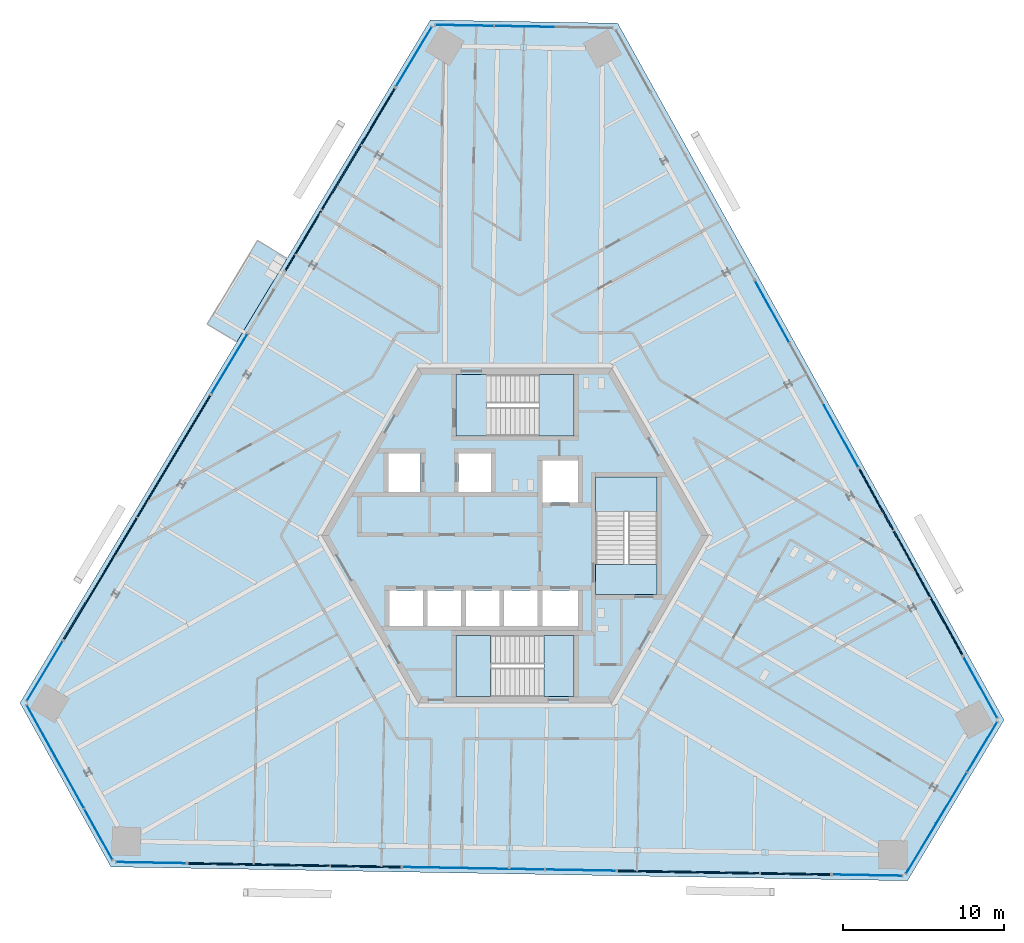
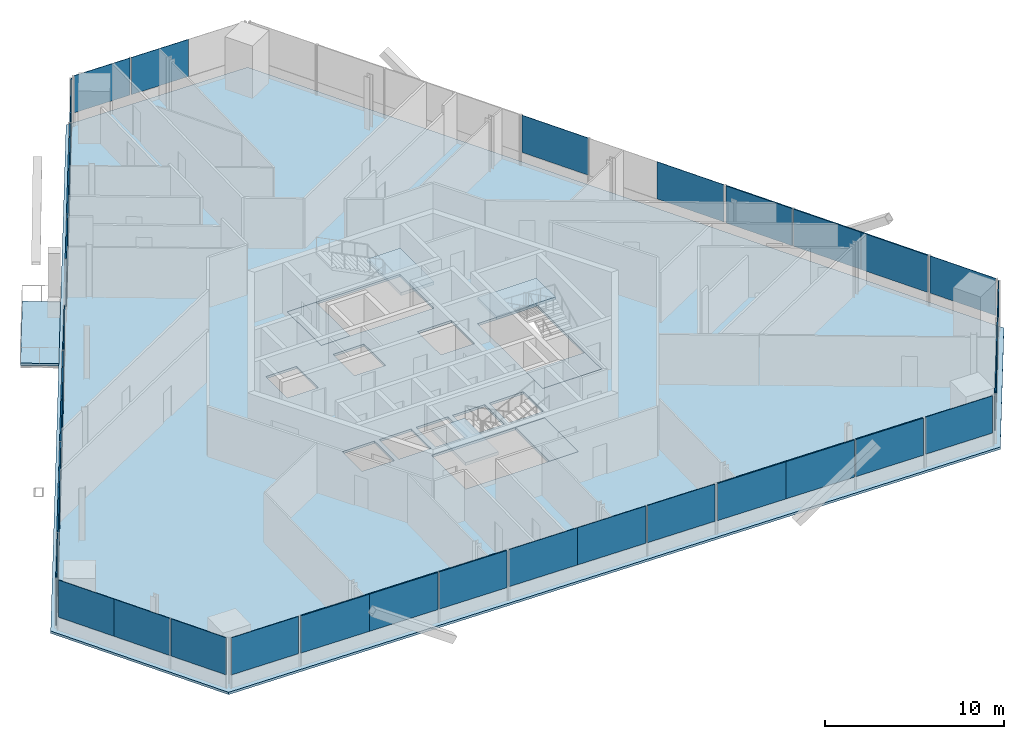
# One storey, part 10 of 19: 35 plates, 8 slabs, 19 elements without a shape of their own.
"""IFC4 building model written with IfcOpenShell, lengths in metres."""

from ifc_helpers import new_model, si_unit, direction, frame, origin, origin_2d, place, context, subcontext, project, spatial, polyline, rectangle, outline, extrude, source, transform, mapped, material, layer, layer_set, type_object, element, aggregate, save


model = new_model("IFC4")

# Units and contexts
model_context = context("Model", 3, precision=1e-05, world=origin(), true_north=direction((0.0, 1.0)))
body_context = subcontext(model_context, "Body", "Model", "MODEL_VIEW")
ifc_project = project(units=[si_unit("LENGTHUNIT", "METRE"), si_unit("AREAUNIT", "SQUARE_METRE"), si_unit("VOLUMEUNIT", "CUBIC_METRE"), si_unit("PLANEANGLEUNIT", "RADIAN"), si_unit("MASSUNIT", "GRAM", prefix="KILO")], contexts=[model_context])

# Site, building, storey
site_placement = place(None, origin())
site = spatial("IfcSite", under=ifc_project, at=site_placement, CompositionType="ELEMENT")
building_placement = place(site_placement, origin())
building = spatial("IfcBuilding", under=site, at=building_placement, Name="Triune Harvest Tower", CompositionType="ELEMENT")
storey_placement = place(building_placement, frame((0.0, 0.0, 205.10009765625)))
storey = spatial("IfcBuildingStorey", under=building, at=storey_placement, Name="L53", CompositionType="ELEMENT", Elevation=205.10009765625)

# Slab
ifc_material_1 = material(Name="Concrete 40 MPa", Category="concrete")
ifc_layer_1 = layer(ifc_material_1, 0.159912109375)
ifc_layer_set_1 = layer_set([ifc_layer_1], Name="Concrete 40 MPa")
slab_type_1 = type_object("IfcSlabType", Name="BA-1 balcony slab 160", PredefinedType="FLOOR", material=ifc_layer_set_1)
slab_1_placement = place(storey_placement, frame((0.0, 0.0, -0.16015625)))
element("IfcSlab", 1, at=slab_1_placement, inside=storey, type_object=slab_type_1, Name="Balcony slab B5-F3 L53.5", PredefinedType="FLOOR", context=body_context, shape_type="SweptSolid", body=[
    extrude(outline(polyline([(-14.138427734375, 17.198974609375), (-17.253662109375, 12.01416015625), (-19.0947265625, 13.12060546875), (-15.9794921875, 18.30517578125), (-14.138427734375, 17.198974609375)])), origin(), (0.0, 0.0, 1.0), 0.16015625),
])

# Curtain wall, plate
ifc_material_2 = material(Name="Aluminium bronze anodised", Category="aluminium")
curtain_wall_type_1 = type_object("IfcCurtainWallType", Name="CW-6 Balcony window wall", PredefinedType="NOTDEFINED", material=ifc_material_2)
curtain_wall_1_placement = place(storey_placement, origin())
curtain_wall_1 = element("IfcCurtainWall", 2, at=curtain_wall_1_placement, inside=storey, type_object=curtain_wall_type_1, Name="CW-6 B5-F3 L53 run 1")
ifc_material_3 = material(Name="Glass", Category="glass")
ifc_layer_2 = layer(ifc_material_3, 0.030029296875)
ifc_layer_set_2 = layer_set([ifc_layer_2], Name="Glass")
plate_type_1 = type_object("IfcPlateType", Name="GL-6 panel 30", PredefinedType="CURTAIN_PANEL", material=ifc_layer_set_2)
plate_1_placement = place(storey_placement, frame((-6.27734375, 29.699462890625, 0.14990234375), z_axis=(0.0, 0.0, 1.0), x_axis=(-0.515024792713, -0.857175281311, 0.0)))
plate_1 = element("IfcPlate", 3, at=plate_1_placement, type_object=plate_type_1, Name="CW-6 panel B5-F3 1.1", PredefinedType="CURTAIN_PANEL", context=body_context, shape_type="SweptSolid", body=[
    extrude(rectangle(XDim=4.2880859375, YDim=0.030029296875, at=origin_2d()), origin(), (0.0, 0.0, 1.0), 3.2900390625),
])
aggregate(curtain_wall_1, [plate_1])

ifc_material_4 = material(Name="Aluminium bronze anodised", Category="aluminium")
curtain_wall_type_2 = type_object("IfcCurtainWallType", Name="CW-10 Balcony window wall with insulated spandrel infill", PredefinedType="NOTDEFINED", material=ifc_material_4)
curtain_wall_2_placement = place(storey_placement, origin())
curtain_wall_2 = element("IfcCurtainWall", 4, at=curtain_wall_2_placement, inside=storey, type_object=curtain_wall_type_2, Name="CW-10 B5-F3 L53 run 1001")
ifc_material_5 = material(Name="Insulated spandrel panel, bronze aluminium pan", Category="aluminium")
ifc_layer_3 = layer(ifc_material_5, 0.080078125)
ifc_layer_set_3 = layer_set([ifc_layer_3], Name="Insulated spandrel panel, bronze aluminium pan")
plate_type_2 = type_object("IfcPlateType", Name="SP-1 insulated spandrel panel 80", PredefinedType="CURTAIN_PANEL", material=ifc_layer_set_3)
plate_2_placement = place(storey_placement, frame((-13.125, 18.302978515625, 0.14990234375), z_axis=(0.0, 0.0, 1.0), x_axis=(-0.515040578709, -0.857165796263, 0.0)))
plate_2 = element("IfcPlate", 5, at=plate_2_placement, type_object=plate_type_2, Name="CW-10 panel B5-F3 1001.3", PredefinedType="CURTAIN_PANEL", context=body_context, shape_type="SweptSolid", body=[
    extrude(rectangle(XDim=4.32568359375, YDim=0.080078125, at=origin_2d()), origin(), (0.0, 0.0, 1.0), 3.2900390625),
])

# Slab
ifc_material_6 = material(Name="Concrete 40 MPa", Category="concrete")
ifc_layer_4 = layer(ifc_material_6, 0.159912109375)
ifc_layer_set_4 = layer_set([ifc_layer_4], Name="Concrete 40 MPa")
slab_type_2 = type_object("IfcSlabType", Name="SL-1 Composite floor slab 160", PredefinedType="FLOOR", material=ifc_layer_set_4)
shared_shape_1 = source(origin(), body_context, "Body", "SweptSolid", [
    extrude(outline(polyline([(30.324951171875, -11.439208984375), (6.368896484375, 31.77880859375), (-5.256103515625, 31.981689453125), (-30.705810546875, -10.373779296875), (-25.069091796875, -20.542724609375), (24.3369140625, -21.405029296875), (30.324951171875, -11.439208984375)]), holes=[polyline([(-5.72509765625, -5.590087890625), (-5.72509765625, -3.389892578125), (-7.800048828125, -3.389892578125), (-7.800048828125, -5.590087890625), (-5.72509765625, -5.590087890625)]), polyline([(-3.35009765625, -5.590087890625), (-3.35009765625, -3.389892578125), (-5.425048828125, -3.389892578125), (-5.425048828125, -5.590087890625), (-3.35009765625, -5.590087890625)]), polyline([(-0.97509765625, -5.590087890625), (-0.97509765625, -3.389892578125), (-3.050048828125, -3.389892578125), (-3.050048828125, -5.590087890625), (-0.97509765625, -5.590087890625)]), polyline([(1.39990234375, -5.590087890625), (1.39990234375, -3.389892578125), (-0.675048828125, -3.389892578125), (-0.675048828125, -5.590087890625), (1.39990234375, -5.590087890625)]), polyline([(3.89990234375, 2.06005859375), (3.89990234375, 4.659912109375), (1.699951171875, 4.659912109375), (1.699951171875, 2.06005859375), (3.89990234375, 2.06005859375)]), polyline([(3.89990234375, -5.590087890625), (3.89990234375, -3.389892578125), (1.699951171875, -3.389892578125), (1.699951171875, -5.590087890625), (3.89990234375, -5.590087890625)]), polyline([(-5.85009765625, 2.7099609375), (-5.85009765625, 5.110107421875), (-7.85009765625, 5.110107421875), (-7.85009765625, 2.7099609375), (-5.85009765625, 2.7099609375)]), polyline([(-1.5, 2.7099609375), (-1.5, 5.110107421875), (-3.5, 5.110107421875), (-3.5, 2.7099609375), (-1.5, 2.7099609375)]), polyline([(3.64990234375, 6.18994140625), (3.64990234375, 9.989990234375), (-3.64990234375, 9.989990234375), (-3.64990234375, 6.18994140625), (3.64990234375, 6.18994140625)]), polyline([(3.64990234375, -9.989990234375), (3.64990234375, -6.18994140625), (-3.64990234375, -6.18994140625), (-3.64990234375, -9.989990234375), (3.64990234375, -9.989990234375)]), polyline([(8.800048828125, -3.64990234375), (8.800048828125, 3.64990234375), (5.0, 3.64990234375), (5.0, -3.64990234375), (8.800048828125, -3.64990234375)])]), origin(), (0.0, 0.0, 1.0), 0.16015625),
])
slab_2_placement = place(storey_placement, frame((0.0, 0.0, -0.16015625)))
element("IfcSlab", 6, at=slab_2_placement, inside=storey, type_object=slab_type_2, Name="slab/L53/1", PredefinedType="FLOOR", context=body_context, shape_type="MappedRepresentation", body=[
    mapped(shared_shape_1, transform((0.0, 0.0, 0.0), scale=1.0)),
])

# Stair, slabs
ifc_material_7 = material(Name="Concrete 40 MPa", Category="concrete")
stair_type = type_object("IfcStairType", Name="Exit stair 1800 half turn", PredefinedType="HALF_TURN_STAIR", material=ifc_material_7)
stair_1_placement = place(storey_placement, origin())
stair_1 = element("IfcStair", 7, at=stair_1_placement, inside=storey, type_object=stair_type, Name="Exit stair north", PredefinedType="HALF_TURN_STAIR")
ifc_material_8 = material(Name="Concrete 40 MPa", Category="concrete")
ifc_layer_5 = layer(ifc_material_8, 0.199951171875)
ifc_layer_set_5 = layer_set([ifc_layer_5], Name="Concrete 40 MPa")
slab_type_3 = type_object("IfcSlabType", Name="Stair landing 200", PredefinedType="LANDING", material=ifc_layer_set_5)
shared_shape_2 = source(origin(), body_context, "Body", "SweptSolid", [
    extrude(outline(polyline([(1.510009765625, 6.18994140625), (3.64990234375, 6.18994140625), (3.64990234375, 9.989990234375), (1.510009765625, 9.989990234375), (1.510009765625, 6.18994140625)])), origin(), (0.0, 0.0, 1.0), 0.199951171875),
])
slab_3_placement = place(storey_placement, frame((0.0, 0.0, 1.599853515625)))
slab_3 = element("IfcSlab", 8, at=slab_3_placement, type_object=slab_type_3, Name="ST-1 landing 2", PredefinedType="LANDING", context=body_context, shape_type="MappedRepresentation", body=[
    mapped(shared_shape_2, transform((0.0, 0.0, 0.0), scale=1.0)),
])
shared_shape_3 = source(origin(), body_context, "Body", "SweptSolid", [
    extrude(outline(polyline([(-3.64990234375, 6.18994140625), (-1.780029296875, 6.18994140625), (-1.780029296875, 9.989990234375), (-3.64990234375, 9.989990234375), (-3.64990234375, 6.18994140625)])), origin(), (0.0, 0.0, 1.0), 0.2001953125),
])
slab_4_placement = place(storey_placement, frame((0.0, 0.0, -0.2001953125)))
slab_4 = element("IfcSlab", 9, at=slab_4_placement, type_object=slab_type_3, Name="ST-1 landing 1", PredefinedType="LANDING", context=body_context, shape_type="MappedRepresentation", body=[
    mapped(shared_shape_3, transform((0.0, 0.0, 0.0), scale=1.0)),
])
aggregate(stair_1, [slab_4, slab_3])

stair_2_placement = place(storey_placement, origin())
stair_2 = element("IfcStair", 10, at=stair_2_placement, inside=storey, type_object=stair_type, Name="Exit stair south", PredefinedType="HALF_TURN_STAIR")
shared_shape_4 = source(origin(), body_context, "Body", "SweptSolid", [
    extrude(outline(polyline([(-1.510009765625, -6.18994140625), (-3.64990234375, -6.18994140625), (-3.64990234375, -9.989990234375), (-1.510009765625, -9.989990234375), (-1.510009765625, -6.18994140625)])), origin(), (0.0, 0.0, 1.0), 0.199951171875),
])
slab_5_placement = place(storey_placement, frame((0.0, 0.0, 1.599853515625)))
slab_5 = element("IfcSlab", 11, at=slab_5_placement, type_object=slab_type_3, Name="ST-2 landing 2", PredefinedType="LANDING", context=body_context, shape_type="MappedRepresentation", body=[
    mapped(shared_shape_4, transform((0.0, 0.0, 0.0), scale=1.0)),
])
shared_shape_5 = source(origin(), body_context, "Body", "SweptSolid", [
    extrude(outline(polyline([(3.64990234375, -6.18994140625), (1.780029296875, -6.18994140625), (1.780029296875, -9.989990234375), (3.64990234375, -9.989990234375), (3.64990234375, -6.18994140625)])), origin(), (0.0, 0.0, 1.0), 0.2001953125),
])
slab_6_placement = place(storey_placement, frame((0.0, 0.0, -0.2001953125)))
slab_6 = element("IfcSlab", 12, at=slab_6_placement, type_object=slab_type_3, Name="ST-2 landing 1", PredefinedType="LANDING", context=body_context, shape_type="MappedRepresentation", body=[
    mapped(shared_shape_5, transform((0.0, 0.0, 0.0), scale=1.0)),
])
aggregate(stair_2, [slab_6, slab_5])

stair_3_placement = place(storey_placement, origin())
stair_3 = element("IfcStair", 13, at=stair_3_placement, inside=storey, type_object=stair_type, Name="Exit stair east", PredefinedType="HALF_TURN_STAIR")
shared_shape_6 = source(origin(), body_context, "Body", "SweptSolid", [
    extrude(outline(polyline([(8.800048828125, 1.510009765625), (8.800048828125, 3.64990234375), (5.0, 3.64990234375), (5.0, 1.510009765625), (8.800048828125, 1.510009765625)])), origin(), (0.0, 0.0, 1.0), 0.199951171875),
])
slab_7_placement = place(storey_placement, frame((0.0, 0.0, 1.599853515625)))
slab_7 = element("IfcSlab", 14, at=slab_7_placement, type_object=slab_type_3, Name="ST-3 landing 2", PredefinedType="LANDING", context=body_context, shape_type="MappedRepresentation", body=[
    mapped(shared_shape_6, transform((0.0, 0.0, 0.0), scale=1.0)),
])
shared_shape_7 = source(origin(), body_context, "Body", "SweptSolid", [
    extrude(outline(polyline([(8.800048828125, -3.64990234375), (8.800048828125, -1.780029296875), (5.0, -1.780029296875), (5.0, -3.64990234375), (8.800048828125, -3.64990234375)])), origin(), (0.0, 0.0, 1.0), 0.2001953125),
])
slab_8_placement = place(storey_placement, frame((0.0, 0.0, -0.2001953125)))
slab_8 = element("IfcSlab", 15, at=slab_8_placement, type_object=slab_type_3, Name="ST-3 landing 1", PredefinedType="LANDING", context=body_context, shape_type="MappedRepresentation", body=[
    mapped(shared_shape_7, transform((0.0, 0.0, 0.0), scale=1.0)),
])
aggregate(stair_3, [slab_8, slab_7])

# Plate
shared_shape_8 = source(origin(), body_context, "Body", "SweptSolid", [
    extrude(rectangle(XDim=4.400634765625, YDim=0.080078125, at=origin_2d()), origin(), (0.0, 0.0, 1.0), 3.2900390625),
])
plate_3_placement = place(storey_placement, frame((-10.83935546875, 22.107177734375, 0.14990234375), z_axis=(0.0, 0.0, 1.0), x_axis=(-0.515040578709, -0.857165796263, 0.0)))
plate_3 = element("IfcPlate", 16, at=plate_3_placement, type_object=plate_type_2, Name="CW-10 panel B5-F3 1001.2", PredefinedType="CURTAIN_PANEL", context=body_context, shape_type="MappedRepresentation", body=[
    mapped(shared_shape_8, transform((0.0, 0.0, 0.0), scale=1.0)),
])

shared_shape_9 = source(origin(), body_context, "Body", "SweptSolid", [
    extrude(rectangle(XDim=4.363037109375, YDim=0.080078125, at=origin_2d()), origin(), (0.0, 0.0, 1.0), 3.2900390625),
])
plate_4_placement = place(storey_placement, frame((-8.58251953125, 25.863037109375, 0.14990234375), z_axis=(0.0, 0.0, 1.0), x_axis=(-0.515040578709, -0.857165796263, 0.0)))
plate_4 = element("IfcPlate", 17, at=plate_4_placement, type_object=plate_type_2, Name="CW-10 panel B5-F3 1001.1", PredefinedType="CURTAIN_PANEL", context=body_context, shape_type="MappedRepresentation", body=[
    mapped(shared_shape_9, transform((0.0, 0.0, 0.0), scale=1.0)),
])

aggregate(curtain_wall_2, [plate_4, plate_3, plate_2])

# Curtain wall, plate
ifc_material_9 = material(Name="Aluminium bronze anodised", Category="aluminium")
curtain_wall_type_3 = type_object("IfcCurtainWallType", Name="CW-1 Tower stick curtain wall", PredefinedType="NOTDEFINED", material=ifc_material_9)
curtain_wall_3_placement = place(storey_placement, origin())
curtain_wall_3 = element("IfcCurtainWall", 18, at=curtain_wall_3_placement, inside=storey, type_object=curtain_wall_type_3, Name="CW-1 B5-F4 L53 run 1")
ifc_material_10 = material(Name="Glass", Category="glass")
ifc_layer_6 = layer(ifc_material_10, 0.031982421875)
ifc_layer_set_6 = layer_set([ifc_layer_6], Name="Glass")
plate_type_3 = type_object("IfcPlateType", Name="GL-1 panel 32", PredefinedType="CURTAIN_PANEL", material=ifc_layer_set_6)
shared_shape_10 = source(origin(), body_context, "Body", "SweptSolid", [
    extrude(rectangle(XDim=3.625, YDim=0.031982421875, at=origin_2d()), origin(), (0.0, 0.0, 1.0), 2.5400390625),
])
plate_5_placement = place(storey_placement, frame((-29.400634765625, -12.109375, 0.89990234375), z_axis=(0.0, 0.0, 1.0), x_axis=(0.484801950362, -0.874623958582, 0.0)))
plate_5 = element("IfcPlate", 19, at=plate_5_placement, type_object=plate_type_3, Name="CW-1 panel B5-F4 1.1", PredefinedType="CURTAIN_PANEL", context=body_context, shape_type="MappedRepresentation", body=[
    mapped(shared_shape_10, transform((0.0, 0.0, 0.0), scale=1.0)),
])

curtain_wall_4_placement = place(storey_placement, origin())
curtain_wall_4 = element("IfcCurtainWall", 20, at=curtain_wall_4_placement, inside=storey, type_object=curtain_wall_type_3, Name="CW-1 B5-F6 L53 run 1")
plate_6_placement = place(storey_placement, frame((25.1875, -19.406982421875, 0.89990234375), z_axis=(0.0, 0.0, 1.0), x_axis=(0.515036685882, 0.857168135313, 0.0)))
plate_6 = element("IfcPlate", 21, at=plate_6_placement, type_object=plate_type_3, Name="CW-1 panel B5-F6 1.1", PredefinedType="CURTAIN_PANEL", context=body_context, shape_type="MappedRepresentation", body=[
    mapped(shared_shape_10, transform((0.0, 0.0, 0.0), scale=1.0)),
])

curtain_wall_5_placement = place(storey_placement, origin())
curtain_wall_5 = element("IfcCurtainWall", 22, at=curtain_wall_5_placement, inside=storey, type_object=curtain_wall_type_3, Name="CW-1 B5-F2 L53 run 1")
shared_shape_11 = source(origin(), body_context, "Body", "SweptSolid", [
    extrude(rectangle(XDim=3.66259765625, YDim=0.031982421875, at=origin_2d()), origin(), (0.0, 0.0, 1.0), 2.5400390625),
])
plate_7_placement = place(storey_placement, frame((0.570068359375, 31.580078125, 0.89990234375), z_axis=(0.0, 0.0, 1.0), x_axis=(-0.999847801404, 0.017446318452, 0.0)))
plate_7 = element("IfcPlate", 23, at=plate_7_placement, type_object=plate_type_3, Name="CW-1 panel B5-F2 1.2", PredefinedType="CURTAIN_PANEL", context=body_context, shape_type="MappedRepresentation", body=[
    mapped(shared_shape_11, transform((0.0, 0.0, 0.0), scale=1.0)),
])

# Plate
plate_8_placement = place(storey_placement, frame((-27.634033203125, -15.29638671875, 0.89990234375), z_axis=(0.0, 0.0, 1.0), x_axis=(0.484801950362, -0.874623958582, 0.0)))
plate_8 = element("IfcPlate", 24, at=plate_8_placement, type_object=plate_type_3, Name="CW-1 panel B5-F4 1.2", PredefinedType="CURTAIN_PANEL", context=body_context, shape_type="MappedRepresentation", body=[
    mapped(shared_shape_11, transform((0.0, 0.0, 0.0), scale=1.0)),
])

plate_9_placement = place(storey_placement, frame((27.064208984375, -16.28369140625, 0.89990234375), z_axis=(0.0, 0.0, 1.0), x_axis=(0.515036685882, 0.857168135313, 0.0)))
plate_9 = element("IfcPlate", 25, at=plate_9_placement, type_object=plate_type_3, Name="CW-1 panel B5-F6 1.2", PredefinedType="CURTAIN_PANEL", context=body_context, shape_type="MappedRepresentation", body=[
    mapped(shared_shape_11, transform((0.0, 0.0, 0.0), scale=1.0)),
])

shared_shape_12 = source(origin(), body_context, "Body", "SweptSolid", [
    extrude(rectangle(XDim=3.587646484375, YDim=0.031982421875, at=origin_2d()), origin(), (0.0, 0.0, 1.0), 2.5400390625),
])
plate_10_placement = place(storey_placement, frame((-3.129638671875, 31.64453125, 0.89990234375), z_axis=(0.0, 0.0, 1.0), x_axis=(-0.999847801404, 0.017446318452, 0.0)))
plate_10 = element("IfcPlate", 26, at=plate_10_placement, type_object=plate_type_3, Name="CW-1 panel B5-F2 1.3", PredefinedType="CURTAIN_PANEL", context=body_context, shape_type="MappedRepresentation", body=[
    mapped(shared_shape_12, transform((0.0, 0.0, 0.0), scale=1.0)),
])

aggregate(curtain_wall_5, [plate_7, plate_10])

plate_11_placement = place(storey_placement, frame((-25.84033203125, -18.532470703125, 0.89990234375), z_axis=(0.0, 0.0, 1.0), x_axis=(0.484801950362, -0.874623958582, 0.0)))
plate_11 = element("IfcPlate", 27, at=plate_11_placement, type_object=plate_type_3, Name="CW-1 panel B5-F4 1.3", PredefinedType="CURTAIN_PANEL", context=body_context, shape_type="MappedRepresentation", body=[
    mapped(shared_shape_12, transform((0.0, 0.0, 0.0), scale=1.0)),
])

aggregate(curtain_wall_3, [plate_5, plate_8, plate_11])

plate_12_placement = place(storey_placement, frame((28.9697265625, -13.112060546875, 0.89990234375), z_axis=(0.0, 0.0, 1.0), x_axis=(0.515036685882, 0.857168135313, 0.0)))
plate_12 = element("IfcPlate", 28, at=plate_12_placement, type_object=plate_type_3, Name="CW-1 panel B5-F6 1.3", PredefinedType="CURTAIN_PANEL", context=body_context, shape_type="MappedRepresentation", body=[
    mapped(shared_shape_12, transform((0.0, 0.0, 0.0), scale=1.0)),
])

aggregate(curtain_wall_4, [plate_6, plate_9, plate_12])

# Curtain wall, plate
ifc_material_11 = material(Name="Aluminium bronze anodised", Category="aluminium")
curtain_wall_type_4 = type_object("IfcCurtainWallType", Name="CW-7 Tower stick curtain wall with insulated spandrel infill", PredefinedType="NOTDEFINED", material=ifc_material_11)
curtain_wall_6_placement = place(storey_placement, origin())
curtain_wall_6 = element("IfcCurtainWall", 29, at=curtain_wall_6_placement, inside=storey, type_object=curtain_wall_type_4, Name="CW-7 B5-F5 L53 run 1001")
shared_shape_13 = source(origin(), body_context, "Body", "SweptSolid", [
    extrude(rectangle(XDim=4.369384765625, YDim=0.080078125, at=origin_2d()), origin(), (0.0, 0.0, 1.0), 2.5400390625),
])
plate_13_placement = place(storey_placement, frame((-18.09765625, -20.3642578125, 0.89990234375), z_axis=(0.0, 0.0, 1.0), x_axis=(0.999847682041, -0.017453157774, 0.0)))
plate_13 = element("IfcPlate", 30, at=plate_13_placement, type_object=plate_type_2, Name="CW-7 panel B5-F5 1001.1", PredefinedType="CURTAIN_PANEL", context=body_context, shape_type="MappedRepresentation", body=[
    mapped(shared_shape_13, transform((0.0, 0.0, 0.0), scale=1.0)),
])

curtain_wall_7_placement = place(storey_placement, origin())
curtain_wall_7 = element("IfcCurtainWall", 31, at=curtain_wall_7_placement, inside=storey, type_object=curtain_wall_type_4, Name="CW-7 B5-F5 L53 run 3001")
plate_14_placement = place(storey_placement, frame((8.563720703125, -20.829833984375, 0.89990234375), z_axis=(0.0, 0.0, 1.0), x_axis=(0.999847682041, -0.017453157774, 0.0)))
plate_14 = element("IfcPlate", 32, at=plate_14_placement, type_object=plate_type_2, Name="CW-7 panel B5-F5 3001.1", PredefinedType="CURTAIN_PANEL", context=body_context, shape_type="MappedRepresentation", body=[
    mapped(shared_shape_13, transform((0.0, 0.0, 0.0), scale=1.0)),
])

curtain_wall_8_placement = place(storey_placement, origin())
curtain_wall_8 = element("IfcCurtainWall", 33, at=curtain_wall_8_placement, inside=storey, type_object=curtain_wall_type_4, Name="CW-7 B5-F1 L53 run 1001")
shared_shape_14 = source(origin(), body_context, "Body", "SweptSolid", [
    extrude(rectangle(XDim=4.40673828125, YDim=0.080078125, at=origin_2d()), origin(), (0.0, 0.0, 1.0), 2.5400390625),
])
plate_15_placement = place(storey_placement, frame((24.557373046875, -1.653076171875, 0.89990234375), z_axis=(0.0, 0.0, 1.0), x_axis=(-0.484806563337, 0.874621401605, 0.0)))
plate_15 = element("IfcPlate", 34, at=plate_15_placement, type_object=plate_type_2, Name="CW-7 panel B5-F1 1001.2", PredefinedType="CURTAIN_PANEL", context=body_context, shape_type="MappedRepresentation", body=[
    mapped(shared_shape_14, transform((0.0, 0.0, 0.0), scale=1.0)),
])

# Plate
plate_16_placement = place(storey_placement, frame((-13.71044921875, -20.44091796875, 0.89990234375), z_axis=(0.0, 0.0, 1.0), x_axis=(0.999847682041, -0.017453157774, 0.0)))
plate_16 = element("IfcPlate", 35, at=plate_16_placement, type_object=plate_type_2, Name="CW-7 panel B5-F5 1001.2", PredefinedType="CURTAIN_PANEL", context=body_context, shape_type="MappedRepresentation", body=[
    mapped(shared_shape_14, transform((0.0, 0.0, 0.0), scale=1.0)),
])

plate_17_placement = place(storey_placement, frame((12.951171875, -20.90625, 0.89990234375), z_axis=(0.0, 0.0, 1.0), x_axis=(0.999847682041, -0.017453157774, 0.0)))
plate_17 = element("IfcPlate", 36, at=plate_17_placement, type_object=plate_type_2, Name="CW-7 panel B5-F5 3001.2", PredefinedType="CURTAIN_PANEL", context=body_context, shape_type="MappedRepresentation", body=[
    mapped(shared_shape_14, transform((0.0, 0.0, 0.0), scale=1.0)),
])

# Curtain wall, plate
curtain_wall_9_placement = place(storey_placement, origin())
curtain_wall_9 = element("IfcCurtainWall", 37, at=curtain_wall_9_placement, inside=storey, type_object=curtain_wall_type_3, Name="CW-1 B5-F1 L53 run 2001")
shared_shape_15 = source(origin(), body_context, "Body", "SweptSolid", [
    extrude(rectangle(XDim=4.369384765625, YDim=0.031982421875, at=origin_2d()), origin(), (0.0, 0.0, 1.0), 2.5400390625),
])
plate_18_placement = place(storey_placement, frame((20.220947265625, 6.170166015625, 0.89990234375), z_axis=(0.0, 0.0, 1.0), x_axis=(-0.48480912047, 0.87461998417, 0.0)))
plate_18 = element("IfcPlate", 38, at=plate_18_placement, type_object=plate_type_3, Name="CW-1 panel B5-F1 2001.1", PredefinedType="CURTAIN_PANEL", context=body_context, shape_type="MappedRepresentation", body=[
    mapped(shared_shape_15, transform((0.0, 0.0, 0.0), scale=1.0)),
])

curtain_wall_10_placement = place(storey_placement, origin())
curtain_wall_10 = element("IfcCurtainWall", 39, at=curtain_wall_10_placement, inside=storey, type_object=curtain_wall_type_3, Name="CW-1 B5-F5 L53 run 2001")
shared_shape_16 = source(origin(), body_context, "Body", "SweptSolid", [
    extrude(rectangle(XDim=4.40673828125, YDim=0.031982421875, at=origin_2d()), origin(), (0.0, 0.0, 1.0), 2.5400390625),
])
plate_19_placement = place(storey_placement, frame((-0.379638671875, -20.673583984375, 0.89990234375), z_axis=(0.0, 0.0, 1.0), x_axis=(0.999847679757, -0.017453288654, 0.0)))
plate_19 = element("IfcPlate", 40, at=plate_19_placement, type_object=plate_type_3, Name="CW-1 panel B5-F5 2001.2", PredefinedType="CURTAIN_PANEL", context=body_context, shape_type="MappedRepresentation", body=[
    mapped(shared_shape_16, transform((0.0, 0.0, 0.0), scale=1.0)),
])

# Plate
shared_shape_17 = source(origin(), body_context, "Body", "SweptSolid", [
    extrude(rectangle(XDim=4.331787109375, YDim=0.031982421875, at=origin_2d()), origin(), (0.0, 0.0, 1.0), 2.5400390625),
])
plate_20_placement = place(storey_placement, frame((15.93896484375, 13.89501953125, 0.89990234375), z_axis=(0.0, 0.0, 1.0), x_axis=(-0.48480912047, 0.87461998417, 0.0)))
plate_20 = element("IfcPlate", 41, at=plate_20_placement, type_object=plate_type_3, Name="CW-1 panel B5-F1 2001.3", PredefinedType="CURTAIN_PANEL", context=body_context, shape_type="MappedRepresentation", body=[
    mapped(shared_shape_17, transform((0.0, 0.0, 0.0), scale=1.0)),
])

aggregate(curtain_wall_9, [plate_18, plate_20])

plate_21_placement = place(storey_placement, frame((4.06396484375, -20.751220703125, 0.89990234375), z_axis=(0.0, 0.0, 1.0), x_axis=(0.999847679757, -0.017453288654, 0.0)))
plate_21 = element("IfcPlate", 42, at=plate_21_placement, type_object=plate_type_3, Name="CW-1 panel B5-F5 2001.3", PredefinedType="CURTAIN_PANEL", context=body_context, shape_type="MappedRepresentation", body=[
    mapped(shared_shape_17, transform((0.0, 0.0, 0.0), scale=1.0)),
])

shared_shape_18 = source(origin(), body_context, "Body", "SweptSolid", [
    extrude(rectangle(XDim=4.369140625, YDim=0.031982421875, at=origin_2d()), origin(), (0.0, 0.0, 1.0), 2.5400390625),
])
plate_22_placement = place(storey_placement, frame((-4.766845703125, -20.596923828125, 0.89990234375), z_axis=(0.0, 0.0, 1.0), x_axis=(0.999847679757, -0.017453288654, 0.0)))
plate_22 = element("IfcPlate", 43, at=plate_22_placement, type_object=plate_type_3, Name="CW-1 panel B5-F5 2001.1", PredefinedType="CURTAIN_PANEL", context=body_context, shape_type="MappedRepresentation", body=[
    mapped(shared_shape_18, transform((0.0, 0.0, 0.0), scale=1.0)),
])

aggregate(curtain_wall_10, [plate_22, plate_19, plate_21])

shared_shape_19 = source(origin(), body_context, "Body", "SweptSolid", [
    extrude(rectangle(XDim=4.369140625, YDim=0.080078125, at=origin_2d()), origin(), (0.0, 0.0, 1.0), 2.5400390625),
])
plate_23_placement = place(storey_placement, frame((26.684814453125, -5.490966796875, 0.89990234375), z_axis=(0.0, 0.0, 1.0), x_axis=(-0.484806563337, 0.874621401605, 0.0)))
plate_23 = element("IfcPlate", 44, at=plate_23_placement, type_object=plate_type_2, Name="CW-7 panel B5-F1 1001.1", PredefinedType="CURTAIN_PANEL", context=body_context, shape_type="MappedRepresentation", body=[
    mapped(shared_shape_19, transform((0.0, 0.0, 0.0), scale=1.0)),
])

# Curtain wall, plates
curtain_wall_11_placement = place(storey_placement, origin())
curtain_wall_11 = element("IfcCurtainWall", 45, at=curtain_wall_11_placement, inside=storey, type_object=curtain_wall_type_2, Name="CW-10 B5-F3 L53 run 1002")
shared_shape_20 = source(origin(), body_context, "Body", "SweptSolid", [
    extrude(rectangle(XDim=4.37060546875, YDim=0.080078125, at=origin_2d()), origin(), (0.0, 0.0, 1.0), 3.2900390625),
])
plate_24_placement = place(storey_placement, frame((-20.02880859375, 6.813232421875, 0.14990234375), z_axis=(0.0, 0.0, 1.0), x_axis=(-0.515034849147, -0.857169238928, 0.0)))
plate_24 = element("IfcPlate", 46, at=plate_24_placement, type_object=plate_type_2, Name="CW-10 panel B5-F3 1002.1", PredefinedType="CURTAIN_PANEL", context=body_context, shape_type="MappedRepresentation", body=[
    mapped(shared_shape_20, transform((0.0, 0.0, 0.0), scale=1.0)),
])
plate_25_placement = place(storey_placement, frame((-26.859130859375, -4.554443359375, 0.14990234375), z_axis=(0.0, 0.0, 1.0), x_axis=(-0.515034849147, -0.857169238928, 0.0)))
plate_25 = element("IfcPlate", 47, at=plate_25_placement, type_object=plate_type_2, Name="CW-10 panel B5-F3 1002.4", PredefinedType="CURTAIN_PANEL", context=body_context, shape_type="MappedRepresentation", body=[
    mapped(shared_shape_20, transform((0.0, 0.0, 0.0), scale=1.0)),
])
shared_shape_21 = source(origin(), body_context, "Body", "SweptSolid", [
    extrude(rectangle(XDim=4.408203125, YDim=0.080078125, at=origin_2d()), origin(), (0.0, 0.0, 1.0), 3.2900390625),
])
plate_26_placement = place(storey_placement, frame((-22.28955078125, 3.05078125, 0.14990234375), z_axis=(0.0, 0.0, 1.0), x_axis=(-0.515034849147, -0.857169238928, 0.0)))
plate_26 = element("IfcPlate", 48, at=plate_26_placement, type_object=plate_type_2, Name="CW-10 panel B5-F3 1002.2", PredefinedType="CURTAIN_PANEL", context=body_context, shape_type="MappedRepresentation", body=[
    mapped(shared_shape_21, transform((0.0, 0.0, 0.0), scale=1.0)),
])
plate_27_placement = place(storey_placement, frame((-24.598388671875, -0.7919921875, 0.14990234375), z_axis=(0.0, 0.0, 1.0), x_axis=(-0.515034849147, -0.857169238928, 0.0)))
plate_27 = element("IfcPlate", 49, at=plate_27_placement, type_object=plate_type_2, Name="CW-10 panel B5-F3 1002.3", PredefinedType="CURTAIN_PANEL", context=body_context, shape_type="MappedRepresentation", body=[
    mapped(shared_shape_21, transform((0.0, 0.0, 0.0), scale=1.0)),
])
aggregate(curtain_wall_11, [plate_24, plate_26, plate_27, plate_25])

# Plate
shared_shape_22 = source(origin(), body_context, "Body", "SweptSolid", [
    extrude(rectangle(XDim=4.331787109375, YDim=0.080078125, at=origin_2d()), origin(), (0.0, 0.0, 1.0), 2.5400390625),
])
plate_28_placement = place(storey_placement, frame((22.40283203125, 2.23388671875, 0.89990234375), z_axis=(0.0, 0.0, 1.0), x_axis=(-0.484806563337, 0.874621401605, 0.0)))
plate_28 = element("IfcPlate", 50, at=plate_28_placement, type_object=plate_type_2, Name="CW-7 panel B5-F1 1001.3", PredefinedType="CURTAIN_PANEL", context=body_context, shape_type="MappedRepresentation", body=[
    mapped(shared_shape_22, transform((0.0, 0.0, 0.0), scale=1.0)),
])

aggregate(curtain_wall_8, [plate_23, plate_15, plate_28])

plate_29_placement = place(storey_placement, frame((-9.266845703125, -20.5185546875, 0.89990234375), z_axis=(0.0, 0.0, 1.0), x_axis=(0.999847682041, -0.017453157774, 0.0)))
plate_29 = element("IfcPlate", 51, at=plate_29_placement, type_object=plate_type_2, Name="CW-7 panel B5-F5 1001.3", PredefinedType="CURTAIN_PANEL", context=body_context, shape_type="MappedRepresentation", body=[
    mapped(shared_shape_22, transform((0.0, 0.0, 0.0), scale=1.0)),
])

aggregate(curtain_wall_6, [plate_13, plate_16, plate_29])

plate_30_placement = place(storey_placement, frame((17.394775390625, -20.98388671875, 0.89990234375), z_axis=(0.0, 0.0, 1.0), x_axis=(0.999847682041, -0.017453157774, 0.0)))
plate_30 = element("IfcPlate", 52, at=plate_30_placement, type_object=plate_type_2, Name="CW-7 panel B5-F5 3001.3", PredefinedType="CURTAIN_PANEL", context=body_context, shape_type="MappedRepresentation", body=[
    mapped(shared_shape_22, transform((0.0, 0.0, 0.0), scale=1.0)),
])

aggregate(curtain_wall_7, [plate_14, plate_17, plate_30])

# Curtain wall, plate
curtain_wall_12_placement = place(storey_placement, origin())
curtain_wall_12 = element("IfcCurtainWall", 53, at=curtain_wall_12_placement, inside=storey, type_object=curtain_wall_type_3, Name="CW-1 B5-F5 L53 run 1")
shared_shape_23 = source(origin(), body_context, "Body", "SweptSolid", [
    extrude(rectangle(XDim=4.294189453125, YDim=0.031982421875, at=origin_2d()), origin(), (0.0, 0.0, 1.0), 2.5400390625),
])
plate_31_placement = place(storey_placement, frame((-22.578857421875, -20.2861328125, 0.89990234375), z_axis=(0.0, 0.0, 1.0), x_axis=(0.999847829466, -0.017444710149, 0.0)))
plate_31 = element("IfcPlate", 54, at=plate_31_placement, type_object=plate_type_3, Name="CW-1 panel B5-F5 1.1", PredefinedType="CURTAIN_PANEL", context=body_context, shape_type="MappedRepresentation", body=[
    mapped(shared_shape_23, transform((0.0, 0.0, 0.0), scale=1.0)),
])
aggregate(curtain_wall_12, [plate_31])

curtain_wall_13_placement = place(storey_placement, origin())
curtain_wall_13 = element("IfcCurtainWall", 55, at=curtain_wall_13_placement, inside=storey, type_object=curtain_wall_type_3, Name="CW-1 B5-F5 L53 run 4001")
plate_32_placement = place(storey_placement, frame((21.857177734375, -21.061767578125, 0.89990234375), z_axis=(0.0, 0.0, 1.0), x_axis=(0.999847829466, -0.017444710149, 0.0)))
plate_32 = element("IfcPlate", 56, at=plate_32_placement, type_object=plate_type_3, Name="CW-1 panel B5-F5 4001.1", PredefinedType="CURTAIN_PANEL", context=body_context, shape_type="MappedRepresentation", body=[
    mapped(shared_shape_23, transform((0.0, 0.0, 0.0), scale=1.0)),
])
aggregate(curtain_wall_13, [plate_32])

curtain_wall_14_placement = place(storey_placement, origin())
curtain_wall_14 = element("IfcCurtainWall", 57, at=curtain_wall_14_placement, inside=storey, type_object=curtain_wall_type_3, Name="CW-1 B5-F1 L53 run 1")
shared_shape_24 = source(origin(), body_context, "Body", "SweptSolid", [
    extrude(rectangle(XDim=4.29443359375, YDim=0.031982421875, at=origin_2d()), origin(), (0.0, 0.0, 1.0), 2.5400390625),
])
plate_33_placement = place(storey_placement, frame((28.857666015625, -9.410888671875, 0.89990234375), z_axis=(0.0, 0.0, 1.0), x_axis=(-0.484813285993, 0.874617675173, 0.0)))
plate_33 = element("IfcPlate", 58, at=plate_33_placement, type_object=plate_type_3, Name="CW-1 panel B5-F1 1.1", PredefinedType="CURTAIN_PANEL", context=body_context, shape_type="MappedRepresentation", body=[
    mapped(shared_shape_24, transform((0.0, 0.0, 0.0), scale=1.0)),
])
aggregate(curtain_wall_14, [plate_33])

curtain_wall_15_placement = place(storey_placement, origin())
curtain_wall_15 = element("IfcCurtainWall", 59, at=curtain_wall_15_placement, inside=storey, type_object=curtain_wall_type_1, Name="CW-6 B5-F3 L53 run 2")
shared_shape_25 = source(origin(), body_context, "Body", "SweptSolid", [
    extrude(rectangle(XDim=4.295654296875, YDim=0.030029296875, at=origin_2d()), origin(), (0.0, 0.0, 1.0), 3.2900390625),
])
plate_34_placement = place(storey_placement, frame((-17.719970703125, 10.656005859375, 0.14990234375), z_axis=(0.0, 0.0, 1.0), x_axis=(-0.515046575559, -0.85716219294, 0.0)))
plate_34 = element("IfcPlate", 60, at=plate_34_placement, type_object=plate_type_1, Name="CW-6 panel B5-F3 2.1", PredefinedType="CURTAIN_PANEL", context=body_context, shape_type="MappedRepresentation", body=[
    mapped(shared_shape_25, transform((0.0, 0.0, 0.0), scale=1.0)),
])
aggregate(curtain_wall_15, [plate_34])

curtain_wall_16_placement = place(storey_placement, origin())
curtain_wall_16 = element("IfcCurtainWall", 61, at=curtain_wall_16_placement, inside=storey, type_object=curtain_wall_type_1, Name="CW-6 B5-F3 L53 run 2002")
plate_35_placement = place(storey_placement, frame((-29.168212890625, -8.397216796875, 0.14990234375), z_axis=(0.0, 0.0, 1.0), x_axis=(-0.515033821156, -0.857169856601, 0.0)))
plate_35 = element("IfcPlate", 62, at=plate_35_placement, type_object=plate_type_1, Name="CW-6 panel B5-F3 2002.1", PredefinedType="CURTAIN_PANEL", context=body_context, shape_type="MappedRepresentation", body=[
    mapped(shared_shape_25, transform((0.0, 0.0, 0.0), scale=1.0)),
])
aggregate(curtain_wall_16, [plate_35])

save(model, "model.ifc")
